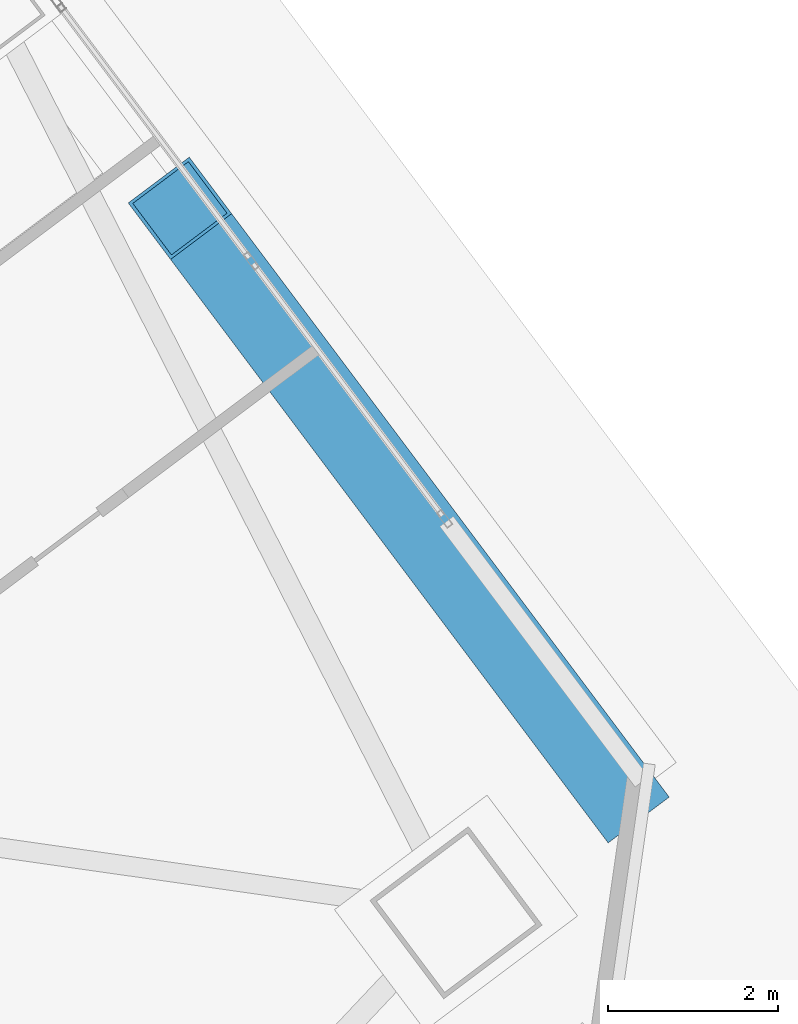
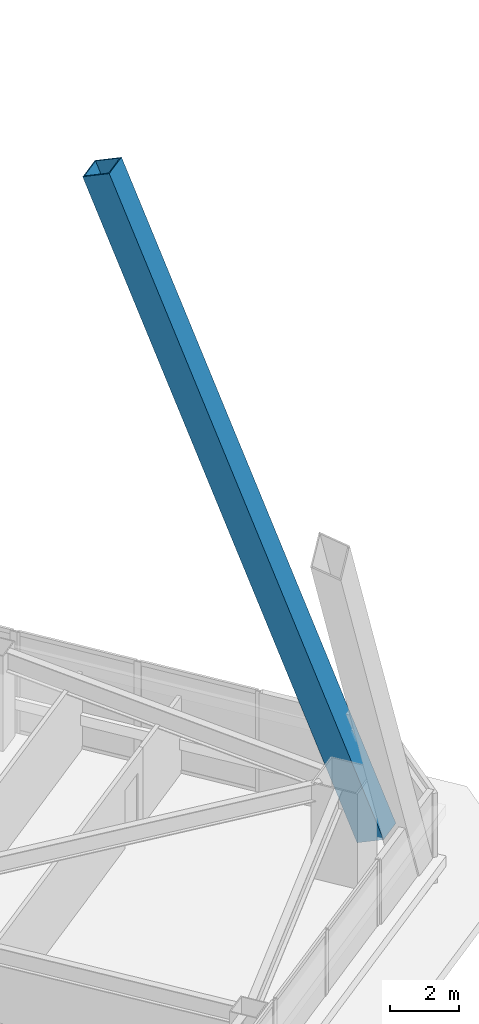
# One storey, part 43 of 67: 1 member.
"""IFC4 building model written with IfcOpenShell, lengths in metres."""

from ifc_helpers import new_model, si_unit, direction, frame, origin, origin_2d, place, context, subcontext, project, spatial, hollow_rectangle, extrude, material, material_profile, profile_set, type_object, element, save


model = new_model("IFC4")

# Units and contexts
model_context = context("Model", 3, precision=1e-05, world=origin(), true_north=direction((0.0, 1.0)))
body_context = subcontext(model_context, "Body", "Model", "MODEL_VIEW")
ifc_project = project(units=[si_unit("LENGTHUNIT", "METRE"), si_unit("AREAUNIT", "SQUARE_METRE"), si_unit("VOLUMEUNIT", "CUBIC_METRE"), si_unit("PLANEANGLEUNIT", "RADIAN"), si_unit("MASSUNIT", "GRAM", prefix="KILO")], contexts=[model_context])

# Site, building, storey
site_placement = place(None, origin())
site = spatial("IfcSite", under=ifc_project, at=site_placement, CompositionType="ELEMENT")
building_placement = place(site_placement, origin())
building = spatial("IfcBuilding", under=site, at=building_placement, Name="Tashvorn Skyway Center", CompositionType="ELEMENT")
storey_placement = place(building_placement, frame((0.0, 0.0, 67.199951171875)))
storey = spatial("IfcBuildingStorey", under=building, at=storey_placement, Name="L17", CompositionType="ELEMENT", Elevation=67.199951171875)

# Member
ifc_material = material(Name="Steel ASTM A572 Grade 50", Category="steel")
ifc_material_profile = material_profile(ifc_material, hollow_rectangle(XDim=0.89990234375, YDim=0.89990234375, WallThickness=0.0400390625, at=origin_2d()), Name="BOX900x900x40")
ifc_profile_set = profile_set([ifc_material_profile], Name="Steel ASTM A572 Grade 50")
member_type = type_object("IfcMemberType", Name="MEM-MB-900", PredefinedType="BRACE", material=ifc_profile_set)
member_placement = place(storey_placement, frame((139.98388671875, 29.988037109375, -0.219970703125), z_axis=(-0.226734257353, 0.302312343137, 0.92585032469), x_axis=(-0.8, -0.6, 0.0)))
element("IfcMember", 1, at=member_placement, inside=storey, type_object=member_type, Name="Tower 2 Zone 2 E Chevron Mega-Brace L1", PredefinedType="BRACE", context=body_context, shape_type="SweptSolid", body=[
    extrude(hollow_rectangle(XDim=0.89990234375, YDim=0.89990234375, WallThickness=0.0400390625, at=origin_2d()), origin(), (0.0, 0.0, 1.0), 22.757568359375),
])

save(model, "model.ifc")
